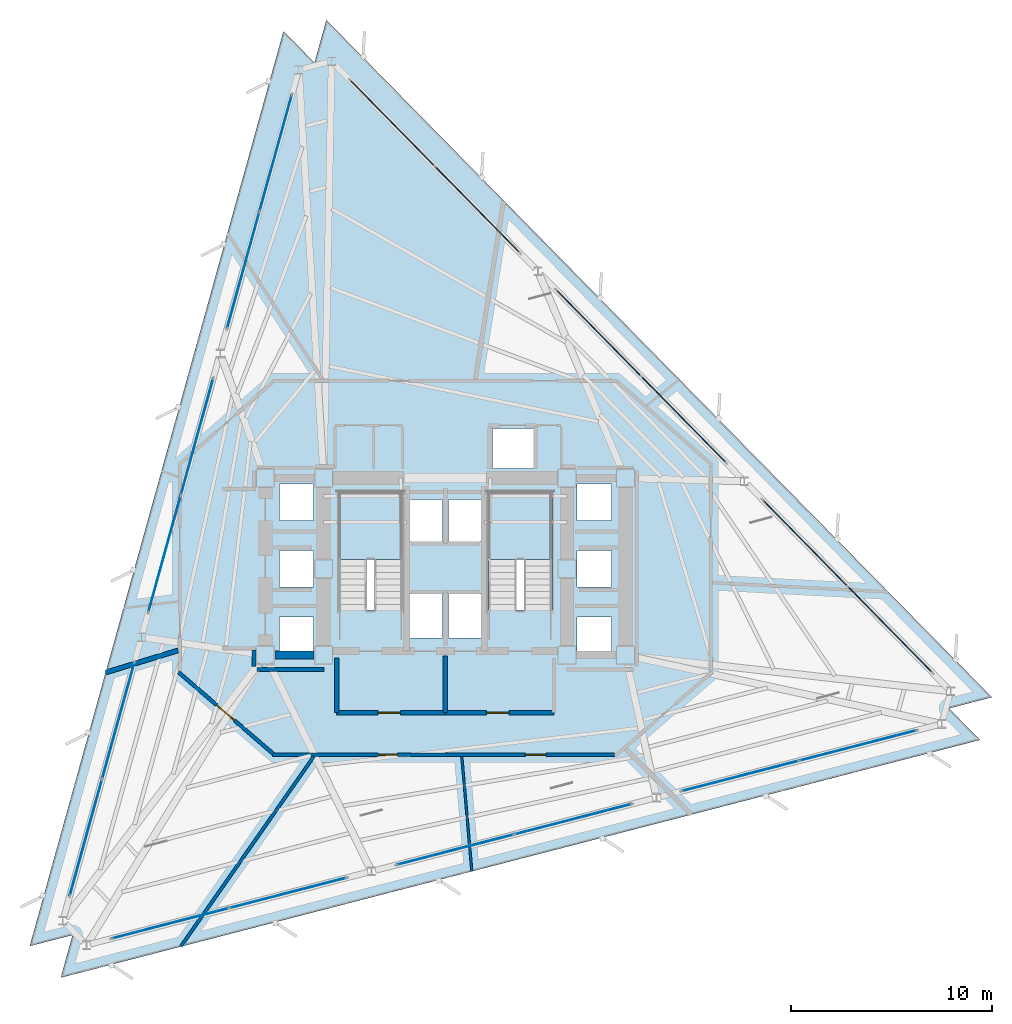
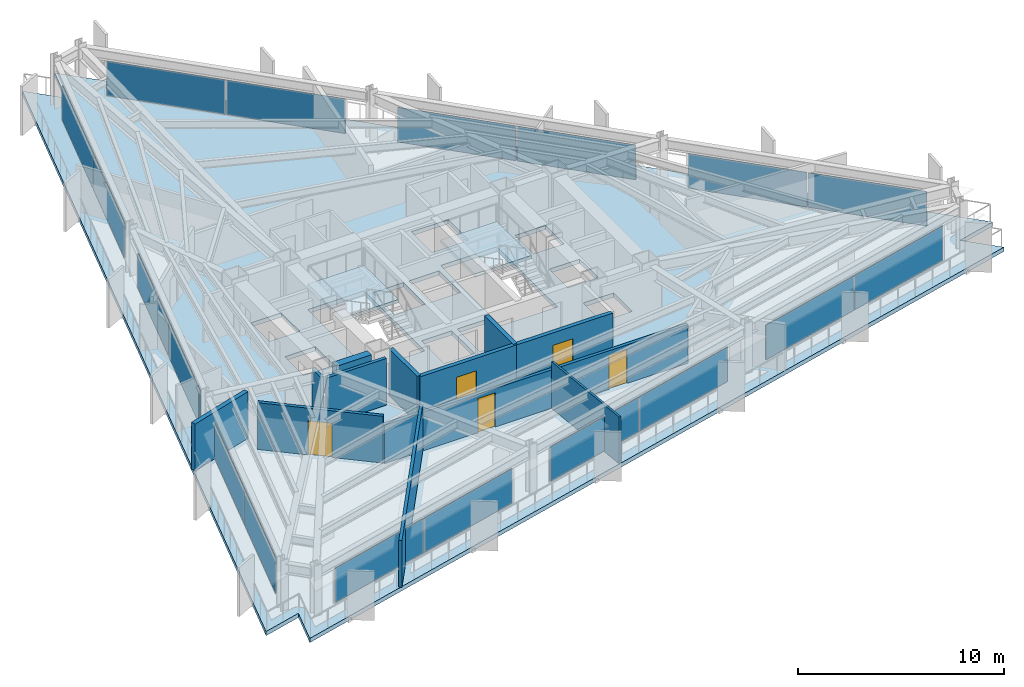
# One storey, part 6 of 11: 18 plates, 12 walls, 5 doors, 3 slabs, 5 openings, 11 elements without a shape of their own.
"""IFC4 building model written with IfcOpenShell, lengths in metres."""

from ifc_helpers import new_model, si_unit, direction, frame, frame_2d, origin, origin_2d, place, context, subcontext, project, spatial, polyline, rectangle, outline, extrude, material, layer, layer_set, type_object, element, fill, aggregate, save


model = new_model("IFC4")

# Units and contexts
model_context = context("Model", 3, precision=1e-05, world=origin(), true_north=direction((0.0, 1.0)))
body_context = subcontext(model_context, "Body", "Model", "MODEL_VIEW")
ifc_project = project(units=[si_unit("LENGTHUNIT", "METRE"), si_unit("AREAUNIT", "SQUARE_METRE"), si_unit("VOLUMEUNIT", "CUBIC_METRE"), si_unit("PLANEANGLEUNIT", "RADIAN"), si_unit("MASSUNIT", "GRAM", prefix="KILO")], contexts=[model_context])

# Site, building, storey
site_placement = place(None, origin())
site = spatial("IfcSite", under=ifc_project, at=site_placement, CompositionType="ELEMENT")
building_placement = place(site_placement, origin())
building = spatial("IfcBuilding", under=site, at=building_placement, Name="Rocaltana Carrier Exchange", CompositionType="ELEMENT")
storey_placement = place(building_placement, frame((0.0, 0.0, 94.719970703125)))
storey = spatial("IfcBuildingStorey", under=building, at=storey_placement, Name="L29", CompositionType="ELEMENT", Elevation=94.719970703125)

# Curtain wall, plates
ifc_material_1 = material(Name="Aluminium 6063-T6", Category="aluminium")
ifc_layer_1 = layer(ifc_material_1, 0.1650390625)
ifc_layer_set_1 = layer_set([ifc_layer_1], Name="Aluminium 6063-T6")
curtain_wall_type = type_object("IfcCurtainWallType", Name="Lower-Mid Stepped Curtain Wall CW-02", PredefinedType="NOTDEFINED", material=ifc_layer_set_1)
curtain_wall_1_placement = place(storey_placement, origin())
curtain_wall_1 = element("IfcCurtainWall", 1, at=curtain_wall_1_placement, inside=storey, type_object=curtain_wall_type, Name="L29 CW-02 Run CW-L29-F1S1", PredefinedType="NOTDEFINED")
ifc_material_2 = material(Name="Tempered Laminated Glass", Category="glass")
ifc_layer_2 = layer(ifc_material_2, 0.0419921875)
ifc_layer_set_2 = layer_set([ifc_layer_2], Name="Tempered Laminated Glass")
plate_type = type_object("IfcPlateType", Name="CW-02 Stone-Insulated Vision Panel", PredefinedType="CURTAIN_PANEL", material=ifc_layer_set_2)
plate_1_placement = place(storey_placement, frame((22.10400390625, -3.02490234375, 0.06494140625), z_axis=(0.0, 0.0, 1.0), x_axis=(-0.700915045542, 0.713244767898, 0.0)))
plate_1 = element("IfcPlate", 2, at=plate_1_placement, type_object=plate_type, Name="CW-02 panel 1.1", PredefinedType="CURTAIN_PANEL", context=body_context, shape_type="SweptSolid", body=[
    extrude(rectangle(XDim=5.96923828125, YDim=0.0419921875, at=origin_2d()), origin(), (0.0, 0.0, 1.0), 2.0380859375),
])
plate_2_placement = place(storey_placement, frame((17.874755859375, 1.279052734375, 0.06494140625), z_axis=(0.0, 0.0, 1.0), x_axis=(-0.700915045542, 0.713244767898, 0.0)))
plate_2 = element("IfcPlate", 3, at=plate_2_placement, type_object=plate_type, Name="CW-02 panel 2.1", PredefinedType="CURTAIN_PANEL", context=body_context, shape_type="SweptSolid", body=[
    extrude(rectangle(XDim=5.96923828125, YDim=0.0419921875, at=origin_2d()), origin(), (0.0, 0.0, 1.0), 2.0380859375),
])
aggregate(curtain_wall_1, [plate_1, plate_2])

curtain_wall_2_placement = place(storey_placement, origin())
curtain_wall_2 = element("IfcCurtainWall", 4, at=curtain_wall_2_placement, inside=storey, type_object=curtain_wall_type, Name="L29 CW-02 Run CW-L29-F1S2", PredefinedType="NOTDEFINED")
plate_3_placement = place(storey_placement, frame((11.847412109375, 7.412353515625, 0.06494140625), z_axis=(0.0, 0.0, 1.0), x_axis=(-0.700915118017, 0.713244696676, 0.0)))
plate_3 = element("IfcPlate", 5, at=plate_3_placement, type_object=plate_type, Name="CW-02 panel 1.1", PredefinedType="CURTAIN_PANEL", context=body_context, shape_type="SweptSolid", body=[
    extrude(rectangle(XDim=5.96923828125, YDim=0.0419921875, at=origin_2d()), origin(), (0.0, 0.0, 1.0), 2.0380859375),
])
plate_4_placement = place(storey_placement, frame((7.617919921875, 11.71630859375, 0.06494140625), z_axis=(0.0, 0.0, 1.0), x_axis=(-0.700915118017, 0.713244696676, 0.0)))
plate_4 = element("IfcPlate", 6, at=plate_4_placement, type_object=plate_type, Name="CW-02 panel 2.1", PredefinedType="CURTAIN_PANEL", context=body_context, shape_type="SweptSolid", body=[
    extrude(rectangle(XDim=5.96923828125, YDim=0.0419921875, at=origin_2d()), origin(), (0.0, 0.0, 1.0), 2.0380859375),
])
aggregate(curtain_wall_2, [plate_3, plate_4])

curtain_wall_3_placement = place(storey_placement, origin())
curtain_wall_3 = element("IfcCurtainWall", 7, at=curtain_wall_3_placement, inside=storey, type_object=curtain_wall_type, Name="L29 CW-02 Run CW-L29-F1S3", PredefinedType="NOTDEFINED")
plate_5_placement = place(storey_placement, frame((1.5908203125, 17.849609375, 0.06494140625), z_axis=(0.0, 0.0, 1.0), x_axis=(-0.700915045542, 0.713244767898, 0.0)))
plate_5 = element("IfcPlate", 8, at=plate_5_placement, type_object=plate_type, Name="CW-02 panel 1.1", PredefinedType="CURTAIN_PANEL", context=body_context, shape_type="SweptSolid", body=[
    extrude(rectangle(XDim=5.96923828125, YDim=0.0419921875, at=origin_2d()), origin(), (0.0, 0.0, 1.0), 2.0380859375),
])
plate_6_placement = place(storey_placement, frame((-2.638671875, 22.153564453125, 0.06494140625), z_axis=(0.0, 0.0, 1.0), x_axis=(-0.700915045542, 0.713244767898, 0.0)))
plate_6 = element("IfcPlate", 9, at=plate_6_placement, type_object=plate_type, Name="CW-02 panel 2.1", PredefinedType="CURTAIN_PANEL", context=body_context, shape_type="SweptSolid", body=[
    extrude(rectangle(XDim=5.96923828125, YDim=0.0419921875, at=origin_2d()), origin(), (0.0, 0.0, 1.0), 2.0380859375),
])
aggregate(curtain_wall_3, [plate_5, plate_6])

curtain_wall_4_placement = place(storey_placement, origin())
curtain_wall_4 = element("IfcCurtainWall", 10, at=curtain_wall_4_placement, inside=storey, type_object=curtain_wall_type, Name="L29 CW-02 Run CW-L29-F2S1", PredefinedType="NOTDEFINED")
plate_7_placement = place(storey_placement, frame((-8.432373046875, 20.655029296875, 0.06494140625), z_axis=(0.0, 0.0, 1.0), x_axis=(-0.267245546918, -0.96362846453, 0.0)))
plate_7 = element("IfcPlate", 11, at=plate_7_placement, type_object=plate_type, Name="CW-02 panel 1.1", PredefinedType="CURTAIN_PANEL", context=body_context, shape_type="SweptSolid", body=[
    extrude(rectangle(XDim=5.96923828125, YDim=0.0419921875, at=origin_2d()), origin(), (0.0, 0.0, 1.0), 2.0380859375),
])
plate_8_placement = place(storey_placement, frame((-10.045166015625, 14.84033203125, 0.06494140625), z_axis=(0.0, 0.0, 1.0), x_axis=(-0.267245546918, -0.96362846453, 0.0)))
plate_8 = element("IfcPlate", 12, at=plate_8_placement, type_object=plate_type, Name="CW-02 panel 2.1", PredefinedType="CURTAIN_PANEL", context=body_context, shape_type="SweptSolid", body=[
    extrude(rectangle(XDim=5.96923828125, YDim=0.0419921875, at=origin_2d()), origin(), (0.0, 0.0, 1.0), 2.0380859375),
])
aggregate(curtain_wall_4, [plate_7, plate_8])

curtain_wall_5_placement = place(storey_placement, origin())
curtain_wall_5 = element("IfcCurtainWall", 13, at=curtain_wall_5_placement, inside=storey, type_object=curtain_wall_type, Name="L29 CW-02 Run CW-L29-F2S2", PredefinedType="NOTDEFINED")
plate_9_placement = place(storey_placement, frame((-12.343017578125, 6.553955078125, 0.06494140625), z_axis=(0.0, 0.0, 1.0), x_axis=(-0.267237893807, -0.963630586954, 0.0)))
plate_9 = element("IfcPlate", 14, at=plate_9_placement, type_object=plate_type, Name="CW-02 panel 1.1", PredefinedType="CURTAIN_PANEL", context=body_context, shape_type="SweptSolid", body=[
    extrude(rectangle(XDim=5.96923828125, YDim=0.0419921875, at=origin_2d()), origin(), (0.0, 0.0, 1.0), 2.0380859375),
])
plate_10_placement = place(storey_placement, frame((-13.95556640625, 0.7392578125, 0.06494140625), z_axis=(0.0, 0.0, 1.0), x_axis=(-0.267237893807, -0.963630586954, 0.0)))
plate_10 = element("IfcPlate", 15, at=plate_10_placement, type_object=plate_type, Name="CW-02 panel 2.1", PredefinedType="CURTAIN_PANEL", context=body_context, shape_type="SweptSolid", body=[
    extrude(rectangle(XDim=5.96923828125, YDim=0.0419921875, at=origin_2d()), origin(), (0.0, 0.0, 1.0), 2.0380859375),
])
aggregate(curtain_wall_5, [plate_9, plate_10])

curtain_wall_6_placement = place(storey_placement, origin())
curtain_wall_6 = element("IfcCurtainWall", 16, at=curtain_wall_6_placement, inside=storey, type_object=curtain_wall_type, Name="L29 CW-02 Run CW-L29-F2S3", PredefinedType="NOTDEFINED")
plate_11_placement = place(storey_placement, frame((-16.253662109375, -7.547119140625, 0.06494140625), z_axis=(0.0, 0.0, 1.0), x_axis=(-0.267243424491, -0.963629053146, 0.0)))
plate_11 = element("IfcPlate", 17, at=plate_11_placement, type_object=plate_type, Name="CW-02 panel 1.1", PredefinedType="CURTAIN_PANEL", context=body_context, shape_type="SweptSolid", body=[
    extrude(rectangle(XDim=5.96923828125, YDim=0.0419921875, at=origin_2d()), origin(), (0.0, 0.0, 1.0), 2.0380859375),
])
plate_12_placement = place(storey_placement, frame((-17.8662109375, -13.36181640625, 0.06494140625), z_axis=(0.0, 0.0, 1.0), x_axis=(-0.267243424491, -0.963629053146, 0.0)))
plate_12 = element("IfcPlate", 18, at=plate_12_placement, type_object=plate_type, Name="CW-02 panel 2.1", PredefinedType="CURTAIN_PANEL", context=body_context, shape_type="SweptSolid", body=[
    extrude(rectangle(XDim=5.96923828125, YDim=0.0419921875, at=origin_2d()), origin(), (0.0, 0.0, 1.0), 2.0380859375),
])
aggregate(curtain_wall_6, [plate_11, plate_12])

curtain_wall_7_placement = place(storey_placement, origin())
curtain_wall_7 = element("IfcCurtainWall", 19, at=curtain_wall_7_placement, inside=storey, type_object=curtain_wall_type, Name="L29 CW-02 Run CW-L29-F3S1", PredefinedType="NOTDEFINED")
plate_13_placement = place(storey_placement, frame((-13.671630859375, -17.63037109375, 0.06494140625), z_axis=(0.0, 0.0, 1.0), x_axis=(0.968148220548, 0.250377760692, 0.0)))
plate_13 = element("IfcPlate", 20, at=plate_13_placement, type_object=plate_type, Name="CW-02 panel 1.1", PredefinedType="CURTAIN_PANEL", context=body_context, shape_type="SweptSolid", body=[
    extrude(rectangle(XDim=5.96923828125, YDim=0.0419921875, at=origin_2d()), origin(), (0.0, 0.0, 1.0), 2.0380859375),
])
plate_14_placement = place(storey_placement, frame((-7.82958984375, -16.119384765625, 0.06494140625), z_axis=(0.0, 0.0, 1.0), x_axis=(0.968148220548, 0.250377760692, 0.0)))
plate_14 = element("IfcPlate", 21, at=plate_14_placement, type_object=plate_type, Name="CW-02 panel 2.1", PredefinedType="CURTAIN_PANEL", context=body_context, shape_type="SweptSolid", body=[
    extrude(rectangle(XDim=5.96923828125, YDim=0.0419921875, at=origin_2d()), origin(), (0.0, 0.0, 1.0), 2.0380859375),
])
aggregate(curtain_wall_7, [plate_13, plate_14])

curtain_wall_8_placement = place(storey_placement, origin())
curtain_wall_8 = element("IfcCurtainWall", 22, at=curtain_wall_8_placement, inside=storey, type_object=curtain_wall_type, Name="L29 CW-02 Run CW-L29-F3S2", PredefinedType="NOTDEFINED")
plate_15_placement = place(storey_placement, frame((0.49560546875, -13.96630859375, 0.06494140625), z_axis=(0.0, 0.0, 1.0), x_axis=(0.968148220548, 0.250377760692, 0.0)))
plate_15 = element("IfcPlate", 23, at=plate_15_placement, type_object=plate_type, Name="CW-02 panel 1.1", PredefinedType="CURTAIN_PANEL", context=body_context, shape_type="SweptSolid", body=[
    extrude(rectangle(XDim=5.96923828125, YDim=0.0419921875, at=origin_2d()), origin(), (0.0, 0.0, 1.0), 2.0380859375),
])
plate_16_placement = place(storey_placement, frame((6.337646484375, -12.45556640625, 0.06494140625), z_axis=(0.0, 0.0, 1.0), x_axis=(0.968148220548, 0.250377760692, 0.0)))
plate_16 = element("IfcPlate", 24, at=plate_16_placement, type_object=plate_type, Name="CW-02 panel 2.1", PredefinedType="CURTAIN_PANEL", context=body_context, shape_type="SweptSolid", body=[
    extrude(rectangle(XDim=5.96923828125, YDim=0.0419921875, at=origin_2d()), origin(), (0.0, 0.0, 1.0), 2.0380859375),
])
aggregate(curtain_wall_8, [plate_15, plate_16])

curtain_wall_9_placement = place(storey_placement, origin())
curtain_wall_9 = element("IfcCurtainWall", 25, at=curtain_wall_9_placement, inside=storey, type_object=curtain_wall_type, Name="L29 CW-02 Run CW-L29-F3S3", PredefinedType="NOTDEFINED")
plate_17_placement = place(storey_placement, frame((14.662841796875, -10.302490234375, 0.06494140625), z_axis=(0.0, 0.0, 1.0), x_axis=(0.96815021836, 0.250370035526, 0.0)))
plate_17 = element("IfcPlate", 26, at=plate_17_placement, type_object=plate_type, Name="CW-02 panel 1.1", PredefinedType="CURTAIN_PANEL", context=body_context, shape_type="SweptSolid", body=[
    extrude(rectangle(XDim=5.96923828125, YDim=0.0419921875, at=origin_2d()), origin(), (0.0, 0.0, 1.0), 2.0380859375),
])
plate_18_placement = place(storey_placement, frame((20.5048828125, -8.791748046875, 0.06494140625), z_axis=(0.0, 0.0, 1.0), x_axis=(0.96815021836, 0.250370035526, 0.0)))
plate_18 = element("IfcPlate", 27, at=plate_18_placement, type_object=plate_type, Name="CW-02 panel 2.1", PredefinedType="CURTAIN_PANEL", context=body_context, shape_type="SweptSolid", body=[
    extrude(rectangle(XDim=5.96923828125, YDim=0.0419921875, at=origin_2d()), origin(), (0.0, 0.0, 1.0), 2.0380859375),
])
aggregate(curtain_wall_9, [plate_17, plate_18])

# Slab
ifc_material_3 = material(Name="Concrete C50/60", Category="concrete")
ifc_layer_3 = layer(ifc_material_3, 0.25)
ifc_layer_set_3 = layer_set([ifc_layer_3], Name="Concrete C50/60")
slab_type_1 = type_object("IfcSlabType", Name="Mid-Zone Tower Slab 250", PredefinedType="FLOOR", material=ifc_layer_set_3)
slab_1_placement = place(storey_placement, frame((0.0, 0.0, -0.25)))
element("IfcSlab", 28, at=slab_1_placement, inside=storey, type_object=slab_type_1, Name="L29 Structural Floor Slab", PredefinedType="FLOOR", context=body_context, shape_type="SweptSolid", body=[
    extrude(outline(polyline([(26.577880859375, -8.51220703125), (25.035888671875, -6.943115234375), (27.165771484375, -6.39208984375), (-5.9169921875, 27.273193359375), (-6.505126953125, 25.1533203125), (-8.047119140625, 26.722412109375), (-20.66064453125, -18.760986328125), (-18.53076171875, -18.210205078125), (-19.11865234375, -20.330078125), (26.577880859375, -8.51220703125)]), holes=[polyline([(-5.300048828125, -2.06005859375), (-2.139892578125, -2.06005859375), (-2.139892578125, 3.800048828125), (-5.300048828125, 3.800048828125), (-5.300048828125, -2.06005859375)]), polyline([(2.139892578125, -2.06005859375), (5.300048828125, -2.06005859375), (5.300048828125, 3.800048828125), (2.139892578125, 3.800048828125), (2.139892578125, -2.06005859375)]), polyline([(-1.85009765625, -3.449951171875), (-0.14990234375, -3.449951171875), (-0.14990234375, -1.25), (-1.85009765625, -1.25), (-1.85009765625, -3.449951171875)]), polyline([(0.14990234375, -3.449951171875), (1.85009765625, -3.449951171875), (1.85009765625, -1.25), (0.14990234375, -1.25), (0.14990234375, -3.449951171875)]), polyline([(2.35009765625, 4.97998046875), (4.39990234375, 4.97998046875), (4.39990234375, 6.97998046875), (2.35009765625, 6.97998046875), (2.35009765625, 4.97998046875)]), polyline([(-1.85009765625, 1.35009765625), (-0.14990234375, 1.35009765625), (-0.14990234375, 3.449951171875), (-1.85009765625, 3.449951171875), (-1.85009765625, 1.35009765625)]), polyline([(0.14990234375, 1.35009765625), (1.85009765625, 1.35009765625), (1.85009765625, 3.449951171875), (0.14990234375, 3.449951171875), (0.14990234375, 1.35009765625)]), polyline([(-8.25, -4.199951171875), (-6.550048828125, -4.199951171875), (-6.550048828125, -2.39990234375), (-8.25, -2.39990234375), (-8.25, -4.199951171875)]), polyline([(-8.25, -0.89990234375), (-6.550048828125, -0.89990234375), (-6.550048828125, 0.89990234375), (-8.25, 0.89990234375), (-8.25, -0.89990234375)]), polyline([(-8.25, 2.39990234375), (-6.550048828125, 2.39990234375), (-6.550048828125, 4.199951171875), (-8.25, 4.199951171875), (-8.25, 2.39990234375)]), polyline([(6.550048828125, -4.199951171875), (8.25, -4.199951171875), (8.25, -2.39990234375), (6.550048828125, -2.39990234375), (6.550048828125, -4.199951171875)]), polyline([(6.550048828125, -0.89990234375), (8.25, -0.89990234375), (8.25, 0.89990234375), (6.550048828125, 0.89990234375), (6.550048828125, -0.89990234375)]), polyline([(6.550048828125, 2.39990234375), (8.25, 2.39990234375), (8.25, 4.199951171875), (6.550048828125, 4.199951171875), (6.550048828125, 2.39990234375)])]), origin(), (0.0, 0.0, 1.0), 0.25),
])

# Stair, slab
ifc_material_4 = material(Name="Precast concrete C45/55", Category="concrete")
stair_type = type_object("IfcStairType", Name="Standard Dog-Leg Stair 160", PredefinedType="HALF_TURN_STAIR", material=ifc_material_4)
stair_1_placement = place(storey_placement, origin())
stair_1 = element("IfcStair", 29, at=stair_1_placement, inside=storey, type_object=stair_type, Name="L29 Core West Exit Stair ST-1", PredefinedType="HALF_TURN_STAIR")
ifc_material_5 = material(Name="Precast concrete C45/55", Category="concrete")
ifc_layer_4 = layer(ifc_material_5, 0.199951171875)
ifc_layer_set_4 = layer_set([ifc_layer_4], Name="Precast concrete C45/55")
slab_type_2 = type_object("IfcSlabType", Name="Precast Stair Half-Landing 200", PredefinedType="LANDING", material=ifc_layer_set_4)
slab_2_placement = place(storey_placement, frame((0.0, 0.0, 1.320068359375)))
slab_2 = element("IfcSlab", 30, at=slab_2_placement, type_object=slab_type_2, Name="ST-1 landing 1", PredefinedType="LANDING", context=body_context, shape_type="SweptSolid", body=[
    extrude(outline(polyline([(-2.139892578125, 0.4599609375), (-2.139892578125, 3.800048828125), (-5.300048828125, 3.800048828125), (-5.300048828125, 0.4599609375), (-2.139892578125, 0.4599609375)])), origin(), (0.0, 0.0, 1.0), 0.199951171875),
])
aggregate(stair_1, [slab_2])

stair_2_placement = place(storey_placement, origin())
stair_2 = element("IfcStair", 31, at=stair_2_placement, inside=storey, type_object=stair_type, Name="L29 Core East Exit Stair ST-2", PredefinedType="HALF_TURN_STAIR")
slab_3_placement = place(storey_placement, frame((0.0, 0.0, 1.320068359375)))
slab_3 = element("IfcSlab", 32, at=slab_3_placement, type_object=slab_type_2, Name="ST-2 landing 1", PredefinedType="LANDING", context=body_context, shape_type="SweptSolid", body=[
    extrude(outline(polyline([(5.300048828125, 0.4599609375), (5.300048828125, 3.800048828125), (2.139892578125, 3.800048828125), (2.139892578125, 0.4599609375), (5.300048828125, 0.4599609375)])), origin(), (0.0, 0.0, 1.0), 0.199951171875),
])
aggregate(stair_2, [slab_3])

# Walls
ifc_material_6 = material(Name="Double Acoustic Gypsum Partition", Category="gypsum")
ifc_layer_5 = layer(ifc_material_6, 0.159912109375)
ifc_layer_set_5 = layer_set([ifc_layer_5], Name="Double Acoustic Gypsum Partition")
wall_type_1 = type_object("IfcWallType", Name="Acoustic Studio Partition 160 EI60", PredefinedType="PARTITIONING", material=ifc_layer_set_5)
wall_1_placement = place(storey_placement, frame((-6.532958984375, -9.330078125, 0.0), z_axis=(0.0, 0.0, 1.0), x_axis=(-0.573567496354, -0.81915830407, 0.0)))
element("IfcWall", 33, at=wall_1_placement, inside=storey, type_object=wall_type_1, Name="L29 Suite Divider Wall D3", PredefinedType="PARTITIONING", context=body_context, shape_type="SweptSolid", body=[
    extrude(rectangle(XDim=11.530517578125, YDim=0.159912109375, at=frame_2d((5.76513671875, 0.0))), origin(), (0.0, 0.0, 1.0), 2.762939453125),
])
ifc_material_7 = material(Name="Concrete C50/60", Category="concrete")
ifc_layer_6 = layer(ifc_material_7, 0.39990234375)
ifc_layer_set_6 = layer_set([ifc_layer_6], Name="Concrete C50/60")
wall_type_2 = type_object("IfcWallType", Name="Core Internal Shear Wall 400", PredefinedType="SHEAR", material=ifc_layer_set_6)
wall_2_placement = place(storey_placement, frame((-8.47509765625, -4.300048828125, 0.0), z_axis=(0.0, 0.0, 1.0), x_axis=(1.0, 0.0, 0.0)))
element("IfcWall", 34, at=wall_2_placement, inside=storey, type_object=wall_type_2, Name="L29 Core Shear Wall CW-WWS", PredefinedType="SHEAR", context=body_context, shape_type="SweptSolid", body=[
    extrude(rectangle(XDim=1.9501953125, YDim=0.39990234375, at=frame_2d((0.97509765625, 0.0))), origin(), (0.0, 0.0, 1.0), 2.7880859375),
])

# Wall, openings, doors
ifc_material_8 = material(Name="Gypsum & Steel Stud Partition", Category="steel")
ifc_layer_7 = layer(ifc_material_8, 0.179931640625)
ifc_layer_set_7 = layer_set([ifc_layer_7], Name="Gypsum & Steel Stud Partition")
wall_type_3 = type_object("IfcWallType", Name="Corridor Fire Partition 180 EI60", PredefinedType="PARTITIONING", material=ifc_layer_set_7)
wall_3_placement = place(storey_placement, frame((8.409912109375, -9.25, 0.0), z_axis=(0.0, 0.0, 1.0), x_axis=(-1.0, 0.0, 0.0)))
wall_3 = element("IfcWall", 35, at=wall_3_placement, inside=storey, type_object=wall_type_3, Name="L29 Corridor Partition 5", PredefinedType="PARTITIONING", context=body_context, shape_type="SweptSolid", body=[
    extrude(rectangle(XDim=17.0, YDim=0.179931640625, at=frame_2d((8.5, 0.0))), origin(), (0.0, 0.0, 1.0), 2.277099609375),
])
opening_1_placement = place(wall_3_placement, frame((10.795166015625, 0.0, 0.0)))
opening_1 = element("IfcOpeningElement", 36, at=opening_1_placement, cuts=wall_3, Name="Opening D-RM098", PredefinedType="OPENING", context=body_context, shape_type="SweptSolid", body=[
    extrude(rectangle(XDim=0.9599609375, YDim=2.02001953125, at=frame_2d((0.47998046875, 1.010009765625))), frame((0.0, 0.099853515625, 0.0), z_axis=(0.0, -1.0, 0.0), x_axis=(1.0, 0.0, 0.0)), (0.0, 0.0, 1.0), 0.199951171875),
])
opening_2_placement = place(wall_3_placement, frame((3.4169921875, 0.0, 0.0)))
opening_2 = element("IfcOpeningElement", 37, at=opening_2_placement, cuts=wall_3, Name="Opening D-LB104", PredefinedType="OPENING", context=body_context, shape_type="SweptSolid", body=[
    extrude(rectangle(XDim=1.02001953125, YDim=2.02001953125, at=frame_2d((0.510009765625, 1.010009765625))), frame((0.0, 0.099853515625, 0.0), z_axis=(0.0, -1.0, 0.0), x_axis=(1.0, 0.0, 0.0)), (0.0, 0.0, 1.0), 0.199951171875),
])
ifc_material_9 = material(Name="Powder-Coated Aluminium 6063-T6", Category="aluminium")
door_type_1 = type_object("IfcDoorType", Name="Laboratory Acoustic Door 1020x2020", OperationType="NOTDEFINED", PredefinedType="DOOR", material=ifc_material_9)
door_1_placement = place(opening_2_placement, origin())
door_1 = element("IfcDoor", 38, at=door_1_placement, inside=storey, type_object=door_type_1, Name="L29 Optical Switching Laboratory Entrance Door", OperationType="SINGLE_SWING_RIGHT", OverallHeight=2.02001953125, OverallWidth=1.02001953125, PredefinedType="DOOR", context=body_context, shape_type="SweptSolid", body=[
    extrude(rectangle(XDim=1.02001953125, YDim=2.02001953125, at=frame_2d((0.510009765625, 1.010009765625))), frame((0.0, 0.02490234375, 0.0), z_axis=(0.0, -1.0, 0.0), x_axis=(1.0, 0.0, 0.0)), (0.0, 0.0, 1.0), 0.050048828125),
])
fill(opening_2, door_1)
ifc_material_10 = material(Name="Engineered Hardwood Timber", Category="wood")
door_type_2 = type_object("IfcDoorType", Name="Workspace Single Door 960x2020", OperationType="NOTDEFINED", PredefinedType="DOOR", material=ifc_material_10)
door_2_placement = place(opening_1_placement, origin())
door_2 = element("IfcDoor", 39, at=door_2_placement, inside=storey, type_object=door_type_2, Name="L29 Cloud Architecture Office Entrance Door", OperationType="SINGLE_SWING_LEFT", OverallHeight=2.02001953125, OverallWidth=0.9599609375, PredefinedType="DOOR", context=body_context, shape_type="SweptSolid", body=[
    extrude(rectangle(XDim=0.9599609375, YDim=2.02001953125, at=frame_2d((0.47998046875, 1.010009765625))), frame((0.0, 0.02490234375, 0.0), z_axis=(0.0, -1.0, 0.0), x_axis=(1.0, 0.0, 0.0)), (0.0, 0.0, 1.0), 0.050048828125),
])
fill(opening_1, door_2)

# Wall, opening, door
wall_4_placement = place(storey_placement, frame((-8.568115234375, -9.191162109375, 0.0), z_axis=(0.0, 0.0, 1.0), x_axis=(-0.757556899173, 0.652769135694, 0.0)))
wall_4 = element("IfcWall", 40, at=wall_4_placement, inside=storey, type_object=wall_type_3, Name="L29 Corridor Partition 6", PredefinedType="PARTITIONING", context=body_context, shape_type="SweptSolid", body=[
    extrude(rectangle(XDim=6.204345703125, YDim=0.179931640625, at=frame_2d((3.10205078125, 0.0))), origin(), (0.0, 0.0, 1.0), 2.762939453125),
])
opening_3_placement = place(wall_4_placement, frame((2.51220703125, 0.0, 0.0)))
opening_3 = element("IfcOpeningElement", 41, at=opening_3_placement, cuts=wall_4, Name="Opening D-SU120", PredefinedType="OPENING", context=body_context, shape_type="SweptSolid", body=[
    extrude(rectangle(XDim=1.179931640625, YDim=2.02001953125, at=frame_2d((0.58984375, 1.010009765625))), frame((0.0, 0.099853515625, 0.0), z_axis=(0.0, -1.0, 0.0), x_axis=(1.0, 0.0, 0.0)), (0.0, 0.0, 1.0), 0.199951171875),
])
ifc_material_11 = material(Name="Engineered Hardwood Timber", Category="wood")
door_type_3 = type_object("IfcDoorType", Name="Suite Double Entrance Door 1180x2020", OperationType="NOTDEFINED", PredefinedType="DOOR", material=ifc_material_11)
door_3_placement = place(opening_3_placement, origin())
door_3 = element("IfcDoor", 42, at=door_3_placement, inside=storey, type_object=door_type_3, Name="L29 Carrier Peering Suite Entrance Door", OperationType="SINGLE_SWING_RIGHT", OverallHeight=2.02001953125, OverallWidth=1.179931640625, PredefinedType="DOOR", context=body_context, shape_type="SweptSolid", body=[
    extrude(rectangle(XDim=1.179931640625, YDim=2.02001953125, at=frame_2d((0.58984375, 1.010009765625))), frame((0.0, 0.02490234375, 0.0), z_axis=(0.0, -1.0, 0.0), x_axis=(1.0, 0.0, 0.0)), (0.0, 0.0, 1.0), 0.050048828125),
])
fill(opening_3, door_3)

# Walls
wall_5_placement = place(storey_placement, frame((-9.510009765625, -4.050048828125, 0.0), z_axis=(0.0, 0.0, 1.0), x_axis=(0.0, -1.0, 0.0)))
element("IfcWall", 43, at=wall_5_placement, inside=storey, type_object=wall_type_3, Name="L29 Corridor Partition 12", PredefinedType="PARTITIONING", context=body_context, shape_type="SweptSolid", body=[
    extrude(rectangle(XDim=0.820068359375, YDim=0.179931640625, at=frame_2d((0.41015625, 0.0))), origin(), (0.0, 0.0, 1.0), 2.762939453125),
])
wall_6_placement = place(storey_placement, frame((-9.3701171875, -5.010009765625, 0.0), z_axis=(0.0, 0.0, 1.0), x_axis=(1.0, 0.0, 0.0)))
element("IfcWall", 44, at=wall_6_placement, inside=storey, type_object=wall_type_3, Name="L29 Corridor Partition 13", PredefinedType="PARTITIONING", context=body_context, shape_type="SweptSolid", body=[
    extrude(rectangle(XDim=3.340087890625, YDim=0.179931640625, at=frame_2d((1.669921875, 0.0))), origin(), (0.0, 0.0, 1.0), 2.762939453125),
])
ifc_material_12 = material(Name="Aluminium 6063-T6 & Acoustic Glass", Category="aluminium")
ifc_layer_8 = layer(ifc_material_12, 0.114990234375)
ifc_layer_set_8 = layer_set([ifc_layer_8], Name="Aluminium 6063-T6 & Acoustic Glass")
wall_type_4 = type_object("IfcWallType", Name="Demountable Glazed Lab Partition 115", PredefinedType="MOVABLE", material=ifc_layer_set_8)
wall_7_placement = place(storey_placement, frame((0.81640625, -9.330078125, 0.0), z_axis=(0.0, 0.0, 1.0), x_axis=(0.087137335428, -0.996196308352, 0.0)))
element("IfcWall", 45, at=wall_7_placement, inside=storey, type_object=wall_type_4, Name="L29 Suite Divider Wall D4", PredefinedType="MOVABLE", context=body_context, shape_type="SweptSolid", body=[
    extrude(rectangle(XDim=5.726806640625, YDim=0.114990234375, at=frame_2d((2.86328125, 0.0))), origin(), (0.0, 0.0, 1.0), 2.762939453125),
])
ifc_material_13 = material(Name="Autoclaved Aerated Concrete C30/37", Category="concrete")
ifc_layer_9 = layer(ifc_material_13, 0.219970703125)
ifc_layer_set_9 = layer_set([ifc_layer_9], Name="Autoclaved Aerated Concrete C30/37")
wall_type_5 = type_object("IfcWallType", Name="Firefighting Lobby Wall 220 EI120", PredefinedType="PARTITIONING", material=ifc_layer_set_9)
wall_8_placement = place(storey_placement, frame((-5.39990234375, -7.159912109375, 0.0), z_axis=(0.0, 0.0, 1.0), x_axis=(0.0, 1.0, 0.0)))
element("IfcWall", 46, at=wall_8_placement, inside=storey, type_object=wall_type_5, Name="L29 FFL Lobby 1 West Wall", PredefinedType="PARTITIONING", context=body_context, shape_type="SweptSolid", body=[
    extrude(rectangle(XDim=2.7099609375, YDim=0.219970703125, at=frame_2d((1.35498046875, 0.0))), origin(), (0.0, 0.0, 1.0), 2.762939453125),
])
wall_9_placement = place(storey_placement, frame((0.0, -7.159912109375, 0.0), z_axis=(0.0, 0.0, 1.0), x_axis=(0.0, 1.0, 0.0)))
element("IfcWall", 47, at=wall_9_placement, inside=storey, type_object=wall_type_5, Name="L29 FFL Lobby Centre Wall", PredefinedType="PARTITIONING", context=body_context, shape_type="SweptSolid", body=[
    extrude(rectangle(XDim=2.809814453125, YDim=0.219970703125, at=frame_2d((1.40478515625, 0.0))), origin(), (0.0, 0.0, 1.0), 2.762939453125),
])

# Wall, opening, door
wall_10_placement = place(storey_placement, frame((-5.39990234375, -7.159912109375, 0.0), z_axis=(0.0, 0.0, 1.0), x_axis=(1.0, 0.0, 0.0)))
wall_10 = element("IfcWall", 48, at=wall_10_placement, inside=storey, type_object=wall_type_5, Name="L29 FFL Lobby 1 South Wall", PredefinedType="PARTITIONING", context=body_context, shape_type="SweptSolid", body=[
    extrude(rectangle(XDim=5.39990234375, YDim=0.219970703125, at=frame_2d((2.699951171875, 0.0))), origin(), (0.0, 0.0, 1.0), 2.762939453125),
])
opening_4_placement = place(wall_10_placement, frame((2.050048828125, 0.0, 0.0)))
opening_4 = element("IfcOpeningElement", 49, at=opening_4_placement, cuts=wall_10, Name="Opening D-FF115", PredefinedType="OPENING", context=body_context, shape_type="SweptSolid", body=[
    extrude(rectangle(XDim=1.1201171875, YDim=2.02001953125, at=frame_2d((0.56005859375, 1.010009765625))), frame((0.0, 0.119873046875, 0.0), z_axis=(0.0, -1.0, 0.0), x_axis=(1.0, 0.0, 0.0)), (0.0, 0.0, 1.0), 0.239990234375),
])
ifc_material_14 = material(Name="Hollow Metal Fire Door Assembly", Category="steel")
door_type_4 = type_object("IfcDoorType", Name="Firefighting Lobby Door 1120x2020 FD60S", OperationType="NOTDEFINED", PredefinedType="DOOR", material=ifc_material_14)
door_4_placement = place(opening_4_placement, origin())
door_4 = element("IfcDoor", 50, at=door_4_placement, inside=storey, type_object=door_type_4, Name="L29 Firefighting Lift Lobby 1 Door", OperationType="SINGLE_SWING_RIGHT", OverallHeight=2.02001953125, OverallWidth=1.1201171875, PredefinedType="DOOR", context=body_context, shape_type="SweptSolid", body=[
    extrude(rectangle(XDim=1.1201171875, YDim=2.02001953125, at=frame_2d((0.56005859375, 1.010009765625))), frame((0.0, 0.02490234375, 0.0), z_axis=(0.0, -1.0, 0.0), x_axis=(1.0, 0.0, 0.0)), (0.0, 0.0, 1.0), 0.050048828125),
])
fill(opening_4, door_4)

wall_11_placement = place(storey_placement, frame((0.0, -7.159912109375, 0.0), z_axis=(0.0, 0.0, 1.0), x_axis=(1.0, 0.0, 0.0)))
wall_11 = element("IfcWall", 51, at=wall_11_placement, inside=storey, type_object=wall_type_5, Name="L29 FFL Lobby 2 South Wall", PredefinedType="PARTITIONING", context=body_context, shape_type="SweptSolid", body=[
    extrude(rectangle(XDim=5.39990234375, YDim=0.219970703125, at=frame_2d((2.699951171875, 0.0))), origin(), (0.0, 0.0, 1.0), 2.762939453125),
])
opening_5_placement = place(wall_11_placement, frame((2.050048828125, 0.0, 0.0)))
opening_5 = element("IfcOpeningElement", 52, at=opening_5_placement, cuts=wall_11, Name="Opening D-FF115", PredefinedType="OPENING", context=body_context, shape_type="SweptSolid", body=[
    extrude(rectangle(XDim=1.1201171875, YDim=2.02001953125, at=frame_2d((0.56005859375, 1.010009765625))), frame((0.0, 0.119873046875, 0.0), z_axis=(0.0, -1.0, 0.0), x_axis=(1.0, 0.0, 0.0)), (0.0, 0.0, 1.0), 0.239990234375),
])
door_5_placement = place(opening_5_placement, origin())
door_5 = element("IfcDoor", 53, at=door_5_placement, inside=storey, type_object=door_type_4, Name="L29 Firefighting Lift Lobby 2 Door", OperationType="SINGLE_SWING_LEFT", OverallHeight=2.02001953125, OverallWidth=1.1201171875, PredefinedType="DOOR", context=body_context, shape_type="SweptSolid", body=[
    extrude(rectangle(XDim=1.1201171875, YDim=2.02001953125, at=frame_2d((0.56005859375, 1.010009765625))), frame((0.0, 0.02490234375, 0.0), z_axis=(0.0, -1.0, 0.0), x_axis=(1.0, 0.0, 0.0)), (0.0, 0.0, 1.0), 0.050048828125),
])
fill(opening_5, door_5)

# Wall
ifc_material_15 = material(Name="Acoustic Calcium Silicate Partition", Category="gypsum")
ifc_layer_10 = layer(ifc_material_15, 0.239990234375)
ifc_layer_set_10 = layer_set([ifc_layer_10], Name="Acoustic Calcium Silicate Partition")
wall_type_6 = type_object("IfcWallType", Name="Heavy Lab Partition 240 EI90", PredefinedType="PARTITIONING", material=ifc_layer_set_10)
wall_12_placement = place(storey_placement, frame((-13.280029296875, -4.06005859375, 0.0), z_axis=(0.0, 0.0, 1.0), x_axis=(-0.956289598412, -0.292421278244, 0.0)))
element("IfcWall", 54, at=wall_12_placement, inside=storey, type_object=wall_type_6, Name="L29 Suite Divider Wall D2", PredefinedType="PARTITIONING", context=body_context, shape_type="SweptSolid", body=[
    extrude(rectangle(XDim=3.762939453125, YDim=0.239990234375, at=frame_2d((1.88134765625, 0.0))), origin(), (0.0, 0.0, 1.0), 2.762939453125),
])

save(model, "model.ifc")
